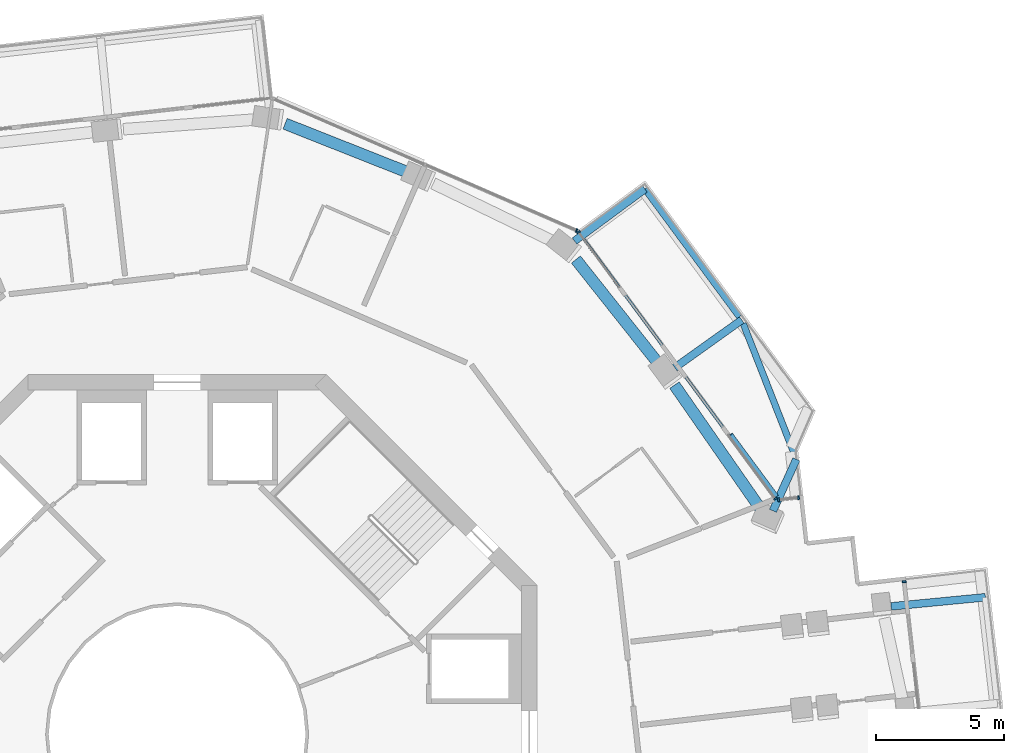
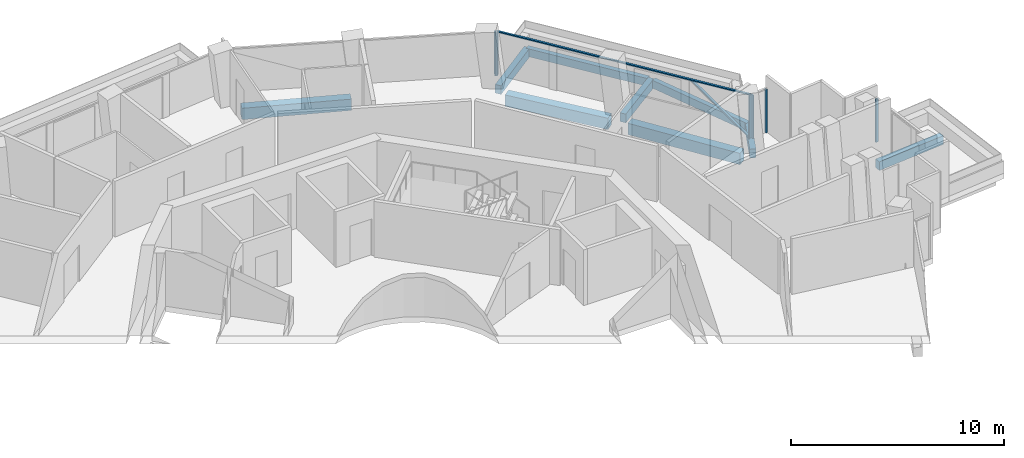
# One storey, part 9 of 23: 9 beams, 8 members, 4 elements without a shape of their own.
"""IFC4 building model written with IfcOpenShell, lengths in metres."""

from ifc_helpers import new_model, si_unit, direction, frame, origin, origin_2d, place, context, subcontext, project, spatial, rectangle, extrude, material, layer, layer_set, material_profile, profile_set, type_object, element, aggregate, save


model = new_model("IFC4")

# Units and contexts
model_context = context("Model", 3, precision=1e-05, world=origin(), true_north=direction((0.0, 1.0)))
body_context = subcontext(model_context, "Body", "Model", "MODEL_VIEW")
ifc_project = project(units=[si_unit("LENGTHUNIT", "METRE"), si_unit("AREAUNIT", "SQUARE_METRE"), si_unit("VOLUMEUNIT", "CUBIC_METRE"), si_unit("PLANEANGLEUNIT", "RADIAN"), si_unit("MASSUNIT", "GRAM", prefix="KILO")], contexts=[model_context])

# Site, building, storey
site_placement = place(None, origin())
site = spatial("IfcSite", under=ifc_project, at=site_placement, CompositionType="ELEMENT")
building_placement = place(site_placement, origin())
building = spatial("IfcBuilding", under=site, at=building_placement, Name="Verdalira Terraces Hotel", CompositionType="ELEMENT")
storey_placement = place(building_placement, frame((0.0, 0.0, 183.5)))
storey = spatial("IfcBuildingStorey", under=building, at=storey_placement, Name="L44", CompositionType="ELEMENT", Elevation=183.5)

# Beams
ifc_material_1 = material(Name="Concrete C40", Category="concrete")
ifc_material_profile_1 = material_profile(ifc_material_1, rectangle(XDim=0.300049, YDim=0.5, at=origin_2d()), Name="RC 300X500")
ifc_profile_set_1 = profile_set([ifc_material_profile_1], Name="Concrete C40")
beam_type_1 = type_object("IfcBeamType", Name="Balcony cantilever beam RC 300X500 C40", PredefinedType="BEAM", material=ifc_profile_set_1)
beam_1_placement = place(storey_placement, frame((27.786133, 4.980469, -0.560059), z_axis=(0.995363924, 0.096180341, 0.0), x_axis=(-0.096180341, 0.995363924, 0.0)))
element("IfcBeam", 1, at=beam_1_placement, inside=storey, type_object=beam_type_1, Name="Balcony cantilever beam R33-2", PredefinedType="BEAM", context=body_context, shape_type="SweptSolid", body=[
    extrude(rectangle(XDim=0.300049, YDim=0.5, at=origin_2d()), origin(), (0.0, 0.0, 1.0), 3.688232),
])
beam_2_placement = place(storey_placement, frame((23.188232, 8.700195, -0.560059), z_axis=(0.414428998, 0.910081648, 0.0), x_axis=(-0.910081648, 0.414428998, 0.0)))
element("IfcBeam", 2, at=beam_2_placement, inside=storey, type_object=beam_type_1, Name="Balcony cantilever beam R38-1", PredefinedType="BEAM", context=body_context, shape_type="SweptSolid", body=[
    extrude(rectangle(XDim=0.300049, YDim=0.5, at=origin_2d()), origin(), (0.0, 0.0, 1.0), 2.203125),
])
beam_3_placement = place(storey_placement, frame((19.368896, 14.27002, -0.560059), z_axis=(0.813955029, 0.580927888, 0.0), x_axis=(-0.580927888, 0.813955029, 0.0)))
element("IfcBeam", 3, at=beam_3_placement, inside=storey, type_object=beam_type_1, Name="Balcony cantilever beam R38-2", PredefinedType="BEAM", context=body_context, shape_type="SweptSolid", body=[
    extrude(rectangle(XDim=0.300049, YDim=0.5, at=origin_2d()), origin(), (0.0, 0.0, 1.0), 3.200684),
])
beam_4_placement = place(storey_placement, frame((15.465088, 19.199219, -0.560059), z_axis=(0.804055554, 0.594554174, 0.0), x_axis=(-0.594554174, 0.804055554, 0.0)))
element("IfcBeam", 4, at=beam_4_placement, inside=storey, type_object=beam_type_1, Name="Balcony cantilever beam R38-3", PredefinedType="BEAM", context=body_context, shape_type="SweptSolid", body=[
    extrude(rectangle(XDim=0.300049, YDim=0.5, at=origin_2d()), origin(), (0.0, 0.0, 1.0), 3.408691),
])
ifc_material_2 = material(Name="Concrete C40", Category="concrete")
ifc_material_profile_2 = material_profile(ifc_material_2, rectangle(XDim=0.25, YDim=0.449951, at=origin_2d()), Name="RC 250X450")
ifc_profile_set_2 = profile_set([ifc_material_profile_2], Name="Concrete C40")
beam_type_2 = type_object("IfcBeamType", Name="Balcony edge beam RC 250X450 C40", PredefinedType="BEAM", material=ifc_profile_set_2)
beam_5_placement = place(storey_placement, frame((24.101318, 10.705322, -0.534912), z_axis=(-0.365066315, 0.930981518, 0.0), x_axis=(-0.930981518, -0.365066315, 0.0)))
element("IfcBeam", 5, at=beam_5_placement, inside=storey, type_object=beam_type_2, Name="Balcony edge beam R38-1", PredefinedType="BEAM", context=body_context, shape_type="SweptSolid", body=[
    extrude(rectangle(XDim=0.25, YDim=0.449951, at=origin_2d()), origin(), (0.0, 0.0, 1.0), 5.671631),
])
beam_6_placement = place(storey_placement, frame((21.88501, 16.25, -0.534912), z_axis=(-0.594538585, 0.804067081, 0.0), x_axis=(-0.804067081, -0.594538585, 0.0)))
element("IfcBeam", 6, at=beam_6_placement, inside=storey, type_object=beam_type_2, Name="Balcony edge beam R38-2", PredefinedType="BEAM", context=body_context, shape_type="SweptSolid", body=[
    extrude(rectangle(XDim=0.25, YDim=0.449951, at=origin_2d()), origin(), (0.0, 0.0, 1.0), 6.188232),
])

# Curtain wall, members
ifc_material_3 = material(Name="Clear glass", Category="glass")
ifc_layer_1 = layer(ifc_material_3, 0.14990234375)
ifc_layer_set_1 = layer_set([ifc_layer_1], Name="CW1 curtain wall")
curtain_wall_type_1 = type_object("IfcCurtainWallType", Name="CW1 curtain wall", PredefinedType="NOTDEFINED", material=ifc_layer_set_1)
curtain_wall_1_placement = place(storey_placement, origin())
curtain_wall_1 = element("IfcCurtainWall", 7, at=curtain_wall_1_placement, inside=storey, type_object=curtain_wall_type_1, Name="CW1 curtain wall L44 edge 39", PredefinedType="NOTDEFINED")
ifc_material_4 = material(Name="Terracotta frame", Category="masonry")
ifc_material_profile_3 = material_profile(ifc_material_4, rectangle(XDim=0.060059, YDim=0.149902, at=origin_2d()), Name="MU 60x150")
ifc_profile_set_3 = profile_set([ifc_material_profile_3], Name="Terracotta frame")
member_type_1 = type_object("IfcMemberType", Name="CW1 mullion 60x150", PredefinedType="MULLION", material=ifc_profile_set_3)
member_1_placement = place(storey_placement, frame((23.291748, 9.175781, 0.0), z_axis=(0.0, 0.0, 1.0), x_axis=(-0.594542152, 0.804064444, 0.0)))
member_1 = element("IfcMember", 8, at=member_1_placement, type_object=member_type_1, Name="CW1 mullion", PredefinedType="MULLION", context=body_context, shape_type="SweptSolid", body=[
    extrude(rectangle(XDim=0.060059, YDim=0.149902, at=origin_2d()), origin(), (0.0, 0.0, 1.0), 2.475098),
])
member_2_placement = place(storey_placement, frame((15.62207, 19.548096, 0.0), z_axis=(0.0, 0.0, 1.0), x_axis=(-0.594542152, 0.804064444, 0.0)))
member_2 = element("IfcMember", 9, at=member_2_placement, type_object=member_type_1, Name="CW1 mullion", PredefinedType="MULLION", context=body_context, shape_type="SweptSolid", body=[
    extrude(rectangle(XDim=0.060059, YDim=0.149902, at=origin_2d()), origin(), (0.0, 0.0, 1.0), 2.475098),
])

# Curtain wall, member
curtain_wall_2_placement = place(storey_placement, origin())
curtain_wall_2 = element("IfcCurtainWall", 10, at=curtain_wall_2_placement, inside=storey, type_object=curtain_wall_type_1, Name="CW1 curtain wall L44 edge 40", PredefinedType="NOTDEFINED")
member_3_placement = place(storey_placement, frame((15.546387, 19.608154, 0.0), z_axis=(0.0, 0.0, 1.0), x_axis=(-0.916920829, 0.399069159, 0.0)))
member_3 = element("IfcMember", 11, at=member_3_placement, type_object=member_type_1, Name="CW1 mullion", PredefinedType="MULLION", context=body_context, shape_type="SweptSolid", body=[
    extrude(rectangle(XDim=0.060059, YDim=0.149902, at=origin_2d()), origin(), (0.0, 0.0, 1.0), 2.475098),
])
aggregate(curtain_wall_2, [member_3])

# Member
ifc_material_5 = material(Name="Terracotta frame", Category="masonry")
ifc_material_profile_4 = material_profile(ifc_material_5, rectangle(XDim=0.110107, YDim=0.064941, at=origin_2d()), Name="TR 65x110")
ifc_profile_set_4 = profile_set([ifc_material_profile_4], Name="Terracotta frame")
member_type_2 = type_object("IfcMemberType", Name="CW1 transom 65x110", PredefinedType="USERDEFINED", material=ifc_profile_set_4)
member_4_placement = place(storey_placement, frame((23.30957, 9.151611, 2.507568), z_axis=(-0.594554721, 0.80405515, 0.0), x_axis=(-0.80405515, -0.594554721, 0.0)))
member_4 = element("IfcMember", 12, at=member_4_placement, type_object=member_type_2, Name="CW1 transom", ObjectType="TRANSOM", PredefinedType="USERDEFINED", context=body_context, shape_type="SweptSolid", body=[
    extrude(rectangle(XDim=0.110107, YDim=0.064941, at=origin_2d()), origin(), (0.0, 0.0, 1.0), 12.959717),
])

# Curtain wall, members
ifc_material_6 = material(Name="Clear glass", Category="glass")
ifc_layer_2 = layer(ifc_material_6, 0.14990234375)
ifc_layer_set_2 = layer_set([ifc_layer_2], Name="CW2 curtain wall")
curtain_wall_type_2 = type_object("IfcCurtainWallType", Name="CW2 curtain wall", PredefinedType="NOTDEFINED", material=ifc_layer_set_2)
curtain_wall_3_placement = place(storey_placement, origin())
curtain_wall_3 = element("IfcCurtainWall", 13, at=curtain_wall_3_placement, inside=storey, type_object=curtain_wall_type_2, Name="CW2 curtain wall L44 edge 38", PredefinedType="NOTDEFINED")
ifc_material_7 = material(Name="Terracotta frame", Category="masonry")
ifc_material_profile_5 = material_profile(ifc_material_7, rectangle(XDim=0.070068, YDim=0.149902, at=origin_2d()), Name="MU 70x150")
ifc_profile_set_5 = profile_set([ifc_material_profile_5], Name="Terracotta frame")
member_type_3 = type_object("IfcMemberType", Name="CW2 mullion 70x150", PredefinedType="MULLION", material=ifc_profile_set_5)
member_5_placement = place(storey_placement, frame((24.187988, 9.213623, 0.0), z_axis=(0.0, 0.0, 1.0), x_axis=(-0.993611311, -0.112856385, 0.0)))
member_5 = element("IfcMember", 14, at=member_5_placement, type_object=member_type_3, Name="CW2 mullion", PredefinedType="MULLION", context=body_context, shape_type="SweptSolid", body=[
    extrude(rectangle(XDim=0.070068, YDim=0.149902, at=origin_2d()), origin(), (0.0, 0.0, 1.0), 2.475098),
])
member_6_placement = place(storey_placement, frame((23.413086, 9.125488, 0.0), z_axis=(0.0, 0.0, 1.0), x_axis=(-0.993611311, -0.112856385, 0.0)))
member_6 = element("IfcMember", 15, at=member_6_placement, type_object=member_type_3, Name="CW2 mullion", PredefinedType="MULLION", context=body_context, shape_type="SweptSolid", body=[
    extrude(rectangle(XDim=0.070068, YDim=0.149902, at=origin_2d()), origin(), (0.0, 0.0, 1.0), 2.475098),
])
aggregate(curtain_wall_3, [member_5, member_6])

# Curtain wall, member
ifc_material_8 = material(Name="Clear glass", Category="glass")
ifc_layer_3 = layer(ifc_material_8, 0.14990234375)
ifc_layer_set_3 = layer_set([ifc_layer_3], Name="CW3 curtain wall")
curtain_wall_type_3 = type_object("IfcCurtainWallType", Name="CW3 curtain wall", PredefinedType="NOTDEFINED", material=ifc_layer_set_3)
curtain_wall_4_placement = place(storey_placement, origin())
curtain_wall_4 = element("IfcCurtainWall", 16, at=curtain_wall_4_placement, inside=storey, type_object=curtain_wall_type_3, Name="CW3 curtain wall L44 edge 33", PredefinedType="NOTDEFINED")
ifc_material_9 = material(Name="Terracotta frame", Category="masonry")
ifc_material_profile_6 = material_profile(ifc_material_9, rectangle(XDim=0.080078, YDim=0.149902, at=origin_2d()), Name="MU 80x150")
ifc_profile_set_6 = profile_set([ifc_material_profile_6], Name="Terracotta frame")
member_type_4 = type_object("IfcMemberType", Name="CW3 mullion 80x150", PredefinedType="MULLION", material=ifc_profile_set_6)
member_7_placement = place(storey_placement, frame((28.293701, 5.941162, 0.0), z_axis=(0.0, 0.0, 1.0), x_axis=(-0.112856385, 0.993611311, 0.0)))
member_7 = element("IfcMember", 17, at=member_7_placement, type_object=member_type_4, Name="CW3 mullion", PredefinedType="MULLION", context=body_context, shape_type="SweptSolid", body=[
    extrude(rectangle(XDim=0.080078, YDim=0.149902, at=origin_2d()), origin(), (0.0, 0.0, 1.0), 2.475098),
])
aggregate(curtain_wall_4, [member_7])

# Member
ifc_material_10 = material(Name="Terracotta frame", Category="masonry")
ifc_material_profile_7 = material_profile(ifc_material_10, rectangle(XDim=0.149902, YDim=0.060059, at=origin_2d()), Name="GB 60x150")
ifc_profile_set_7 = profile_set([ifc_material_profile_7], Name="Terracotta frame")
member_type_5 = type_object("IfcMemberType", Name="Diagonal glazing bar 60x150", PredefinedType="USERDEFINED", material=ifc_profile_set_7)
member_8_placement = place(storey_placement, frame((23.327393, 9.276855, 0.024414), z_axis=(-0.461027858, 0.623556698, 0.631371807), x_axis=(-0.804090995, -0.594506242, 0.0)))
member_8 = element("IfcMember", 18, at=member_8_placement, type_object=member_type_5, Name="Diagonal glazing bar", ObjectType="GLAZING BAR", PredefinedType="USERDEFINED", context=body_context, shape_type="SweptSolid", body=[
    extrude(rectangle(XDim=0.149902, YDim=0.060059, at=origin_2d()), origin(), (0.0, 0.0, 1.0), 3.842529),
])

aggregate(curtain_wall_1, [member_1, member_2, member_4, member_8])

# Beams
ifc_material_11 = material(Name="Concrete C50", Category="concrete")
ifc_material_profile_8 = material_profile(ifc_material_11, rectangle(XDim=0.449951, YDim=0.649902, at=origin_2d()), Name="RC 450X650")
ifc_profile_set_8 = profile_set([ifc_material_profile_8], Name="Concrete C50")
beam_type_3 = type_object("IfcBeamType", Name="Spandrel beam RC 450X650 C50", PredefinedType="SPANDREL", material=ifc_profile_set_8)
beam_7_placement = place(storey_placement, frame((22.673096, 8.820801, -0.63501), z_axis=(-0.57101896, 0.820936871, 0.0), x_axis=(-0.820936871, -0.57101896, 0.0)))
element("IfcBeam", 19, at=beam_7_placement, inside=storey, type_object=beam_type_3, Name="Spandrel beam B18", PredefinedType="SPANDREL", context=body_context, shape_type="SweptSolid", body=[
    extrude(rectangle(XDim=0.449951, YDim=0.649902, at=origin_2d()), origin(), (0.0, 0.0, 1.0), 5.813477),
])
beam_8_placement = place(storey_placement, frame((18.742432, 14.414795, -0.63501), z_axis=(-0.621200497, 0.783651672, 0.0), x_axis=(-0.783651672, -0.621200497, 0.0)))
element("IfcBeam", 20, at=beam_8_placement, inside=storey, type_object=beam_type_3, Name="Spandrel beam B19", PredefinedType="SPANDREL", context=body_context, shape_type="SweptSolid", body=[
    extrude(rectangle(XDim=0.449951, YDim=0.649902, at=origin_2d()), origin(), (0.0, 0.0, 1.0), 5.189453),
])
beam_9_placement = place(storey_placement, frame((9.023926, 21.854736, -0.63501), z_axis=(-0.929788164, 0.368095056, 0.0), x_axis=(-0.368095056, -0.929788164, 0.0)))
element("IfcBeam", 21, at=beam_9_placement, inside=storey, type_object=beam_type_3, Name="Spandrel beam B21", PredefinedType="SPANDREL", context=body_context, shape_type="SweptSolid", body=[
    extrude(rectangle(XDim=0.449951, YDim=0.649902, at=origin_2d()), origin(), (0.0, 0.0, 1.0), 5.189209),
])

save(model, "model.ifc")
